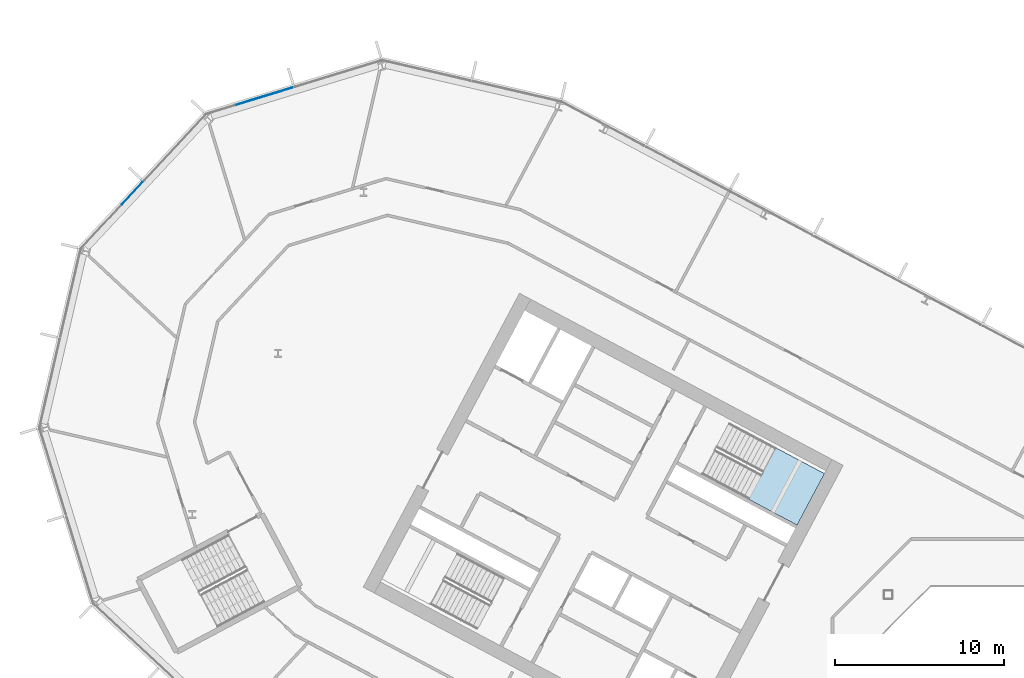
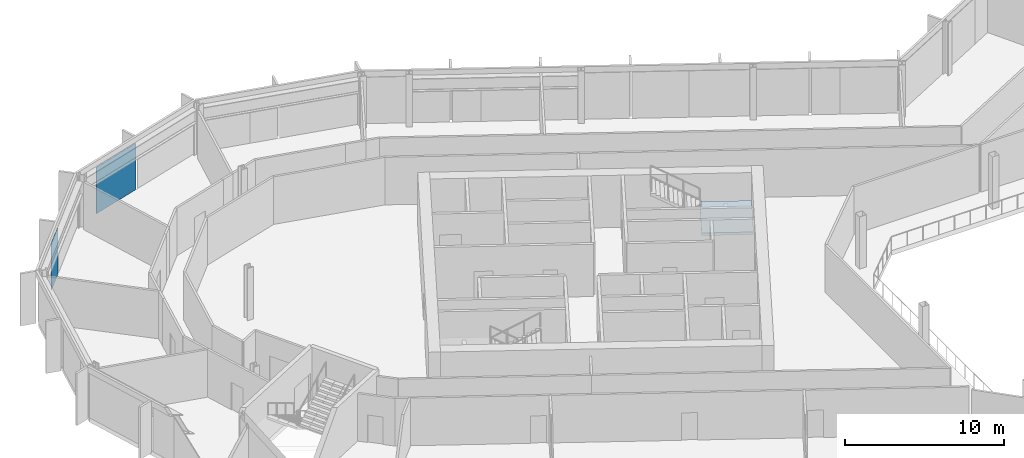
# One storey, part 11 of 28: 2 plates, 1 slab, 3 elements without a shape of their own.
"""IFC4 building model written with IfcOpenShell, lengths in metres."""

from ifc_helpers import new_model, si_unit, direction, frame, origin, origin_2d, place, context, subcontext, project, spatial, polyline, rectangle, outline, extrude, material, layer, layer_set, type_object, element, aggregate, save


model = new_model("IFC4")

# Units and contexts
model_context = context("Model", 3, precision=1e-05, world=origin(), true_north=direction((0.0, 1.0)))
body_context = subcontext(model_context, "Body", "Model", "MODEL_VIEW")
ifc_project = project(units=[si_unit("LENGTHUNIT", "METRE"), si_unit("AREAUNIT", "SQUARE_METRE"), si_unit("VOLUMEUNIT", "CUBIC_METRE"), si_unit("PLANEANGLEUNIT", "RADIAN"), si_unit("MASSUNIT", "GRAM", prefix="KILO")], contexts=[model_context])

# Site, building, storey
site_placement = place(None, origin())
site = spatial("IfcSite", under=ifc_project, at=site_placement, CompositionType="ELEMENT")
building_placement = place(site_placement, origin())
building = spatial("IfcBuilding", under=site, at=building_placement, Name="Cormorant Relay Tower", CompositionType="ELEMENT")
storey_placement = place(building_placement, frame((0.0, 0.0, 134.199951171875)))
storey = spatial("IfcBuildingStorey", under=building, at=storey_placement, Name="L27", CompositionType="ELEMENT", Elevation=134.199951171875)

# Curtain wall, plate
ifc_material_1 = material(Name="Aluminium 6063-T6 anodised bronze", Category="aluminium")
ifc_layer_1 = layer(ifc_material_1, 0.199951171875)
ifc_layer_set_1 = layer_set([ifc_layer_1], Name="CW1 unitised bronze curtain wall with vertical fins")
curtain_wall_type = type_object("IfcCurtainWallType", Name="CW1 unitised bronze curtain wall with vertical fins", PredefinedType="NOTDEFINED", material=ifc_layer_set_1)
curtain_wall_1_placement = place(storey_placement, origin())
curtain_wall_1 = element("IfcCurtainWall", 1, at=curtain_wall_1_placement, inside=storey, type_object=curtain_wall_type, Name="CW1 curtain wall 12", PredefinedType="NOTDEFINED")
ifc_material_2 = material(Name="Tinted laminated glass", Category="glass")
ifc_layer_2 = layer(ifc_material_2, 0.0400390625)
ifc_layer_set_2 = layer_set([ifc_layer_2], Name="CW1 tinted vision panel 1800 module")
plate_type_1 = type_object("IfcPlateType", Name="CW1 tinted vision panel 1800 module", PredefinedType="CURTAIN_PANEL", material=ifc_layer_set_2)
plate_1_placement = place(storey_placement, frame((-55.247314453125, 34.2607421875, 0.0), z_axis=(0.0, 0.0, 1.0), x_axis=(-0.681998360062, -0.731353701619, 0.0)))
plate_1 = element("IfcPlate", 2, at=plate_1_placement, type_object=plate_type_1, Name="CW1 panel V01", PredefinedType="CURTAIN_PANEL", context=body_context, shape_type="SweptSolid", body=[
    extrude(rectangle(XDim=1.800048828125, YDim=0.0400390625, at=origin_2d()), origin(), (0.0, 0.0, 1.0), 3.550048828125),
])
aggregate(curtain_wall_1, [plate_1])

curtain_wall_2_placement = place(storey_placement, origin())
curtain_wall_2 = element("IfcCurtainWall", 3, at=curtain_wall_2_placement, inside=storey, type_object=curtain_wall_type, Name="CW1 curtain wall 11", PredefinedType="NOTDEFINED")
ifc_material_3 = material(Name="Tinted laminated glass", Category="glass")
ifc_layer_3 = layer(ifc_material_3, 0.0400390625)
ifc_layer_set_3 = layer_set([ifc_layer_3], Name="CW1 tinted vision panel 3600 module")
plate_type_2 = type_object("IfcPlateType", Name="CW1 tinted vision panel 3600 module", PredefinedType="CURTAIN_PANEL", material=ifc_layer_set_3)
plate_2_placement = place(storey_placement, frame((-47.462158203125, 39.995361328125, 0.0), z_axis=(0.0, 0.0, 1.0), x_axis=(-0.956304755963, -0.292371704723, 0.0)))
plate_2 = element("IfcPlate", 4, at=plate_2_placement, type_object=plate_type_2, Name="CW1 panel V01", PredefinedType="CURTAIN_PANEL", context=body_context, shape_type="SweptSolid", body=[
    extrude(rectangle(XDim=3.60009765625, YDim=0.0400390625, at=origin_2d()), origin(), (0.0, 0.0, 1.0), 3.550048828125),
])
aggregate(curtain_wall_2, [plate_2])

# Stair, slab
ifc_material_4 = material(Name="Concrete 40 MPa", Category="concrete")
stair_type = type_object("IfcStairType", Name="Exit stair 1500", PredefinedType="HALF_TURN_STAIR", material=ifc_material_4)
stair_placement = place(storey_placement, origin())
stair = element("IfcStair", 5, at=stair_placement, inside=storey, type_object=stair_type, Name="L27 Stair", PredefinedType="HALF_TURN_STAIR")
ifc_material_5 = material(Name="Concrete 40 MPa", Category="concrete")
ifc_layer_4 = layer(ifc_material_5, 0.199951171875)
ifc_layer_set_4 = layer_set([ifc_layer_4], Name="Exit stair landing 200")
slab_type = type_object("IfcSlabType", Name="Exit stair landing 200", PredefinedType="LANDING", material=ifc_layer_set_4)
slab_placement = place(storey_placement, frame((0.0, 0.0, 1.800048828125)))
slab = element("IfcSlab", 6, at=slab_placement, type_object=slab_type, Name="A1 landing 1", PredefinedType="LANDING", context=body_context, shape_type="SweptSolid", body=[
    extrude(outline(polyline([(-18.7822265625, 16.1591796875), (-15.89501953125, 14.6240234375), (-14.275390625, 17.670166015625), (-17.16259765625, 19.205322265625), (-18.7822265625, 16.1591796875)])), origin(), (0.0, 0.0, 1.0), 0.199951171875),
])
aggregate(stair, [slab])

save(model, "model.ifc")
